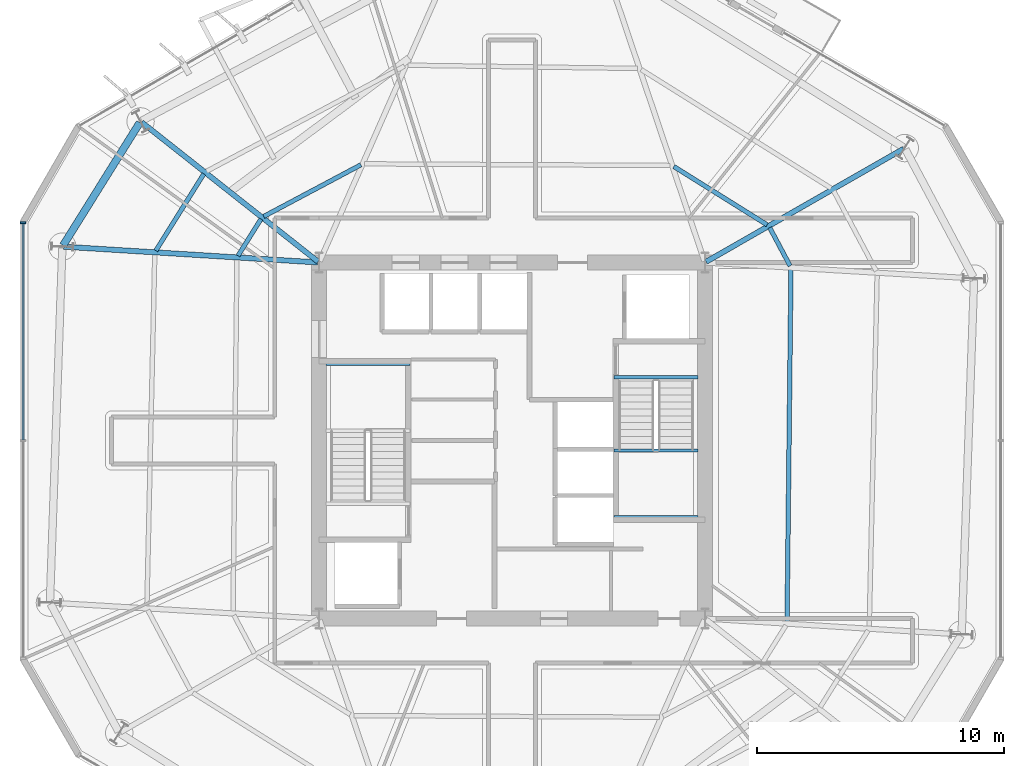
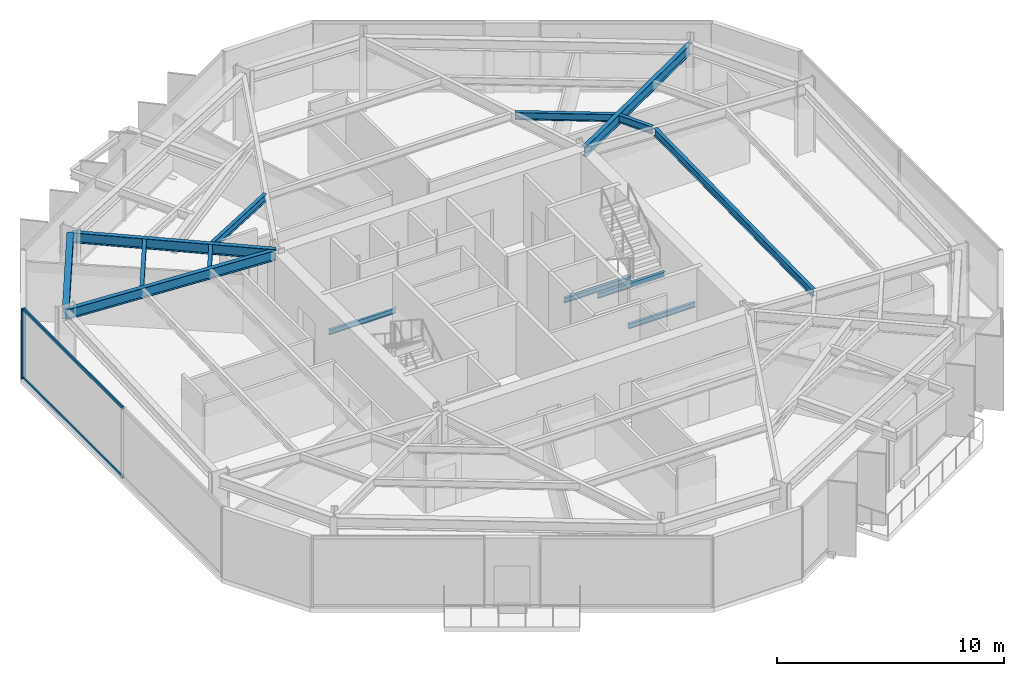
# One storey, part 3 of 11: 14 beams, 3 members, 1 element without a shape of its own.
"""IFC4 building model written with IfcOpenShell, lengths in metres."""

from ifc_helpers import new_model, si_unit, direction, frame, origin, origin_2d, place, context, subcontext, project, spatial, rectangle, i_section, extrude, material, layer, layer_set, material_profile, profile_set, type_object, element, aggregate, save


model = new_model("IFC4")

# Units and contexts
model_context = context("Model", 3, precision=1e-05, world=origin(), true_north=direction((0.0, 1.0)))
body_context = subcontext(model_context, "Body", "Model", "MODEL_VIEW")
ifc_project = project(units=[si_unit("LENGTHUNIT", "METRE"), si_unit("AREAUNIT", "SQUARE_METRE"), si_unit("VOLUMEUNIT", "CUBIC_METRE"), si_unit("PLANEANGLEUNIT", "RADIAN"), si_unit("MASSUNIT", "GRAM", prefix="KILO")], contexts=[model_context])

# Site, building, storey
site_placement = place(None, origin())
site = spatial("IfcSite", under=ifc_project, at=site_placement, CompositionType="ELEMENT")
building_placement = place(site_placement, origin())
building = spatial("IfcBuilding", under=site, at=building_placement, Name="Kranzbogen Civic Tower", CompositionType="ELEMENT")
storey_placement = place(building_placement, frame((0.0, 0.0, 142.39990234375)))
storey = spatial("IfcBuildingStorey", under=building, at=storey_placement, Name="L34", CompositionType="ELEMENT", Elevation=142.39990234375)

# Curtain wall, members
ifc_material_1 = material(Name="Pale Anodised Aluminium", Category="aluminium")
ifc_layer = layer(ifc_material_1, 0.219970703125, Name="Pale Anodised Aluminium")
ifc_layer_set = layer_set([ifc_layer], Name="Pale Anodised Aluminium")
curtain_wall_type = type_object("IfcCurtainWallType", Name="Zone 2 Stick Curtain Wall System CW-03", PredefinedType="USERDEFINED", material=ifc_layer_set)
curtain_wall_placement = place(storey_placement, origin())
curtain_wall = element("IfcCurtainWall", 1, at=curtain_wall_placement, inside=storey, type_object=curtain_wall_type, Name="L34 curtain wall CW-L34-F3", ObjectType="STICK CURTAIN WALL", PredefinedType="USERDEFINED")
ifc_material_profile_1 = material_profile(ifc_material_1, rectangle(XDim=0.074951171875, YDim=0.219970703125, at=origin_2d()), Name="ALU-M 75x220")
ifc_profile_set_1 = profile_set([ifc_material_profile_1], Name="Pale Anodised Aluminium")
member_type_1 = type_object("IfcMemberType", Name="Curtain Wall Mullion ALU-M 75x220", PredefinedType="MULLION", material=ifc_profile_set_1)
member_1_placement = place(storey_placement, frame((5.22802734375, 33.803955078125, 0.0), z_axis=(0.0, 0.0, 1.0), x_axis=(0.0, -1.0, 0.0)))
member_1 = element("IfcMember", 2, at=member_1_placement, type_object=member_type_1, Name="CW-03 mullion 1", PredefinedType="MULLION", context=body_context, shape_type="SweptSolid", body=[
    extrude(rectangle(XDim=0.074951171875, YDim=0.219970703125, at=origin_2d()), origin(), (0.0, 0.0, 1.0), 3.760009765625),
])
ifc_material_profile_2 = material_profile(ifc_material_1, rectangle(XDim=0.074951171875, YDim=0.1650390625, at=origin_2d()), Name="ALU-T 75x165")
ifc_profile_set_2 = profile_set([ifc_material_profile_2], Name="Pale Anodised Aluminium")
member_type_2 = type_object("IfcMemberType", Name="Curtain Wall Transom ALU-T 75x165", PredefinedType="USERDEFINED", material=ifc_profile_set_2)
member_2_placement = place(storey_placement, frame((5.22802734375, 33.77392578125, 0.030029296875), z_axis=(0.0, -1.0, 0.0), x_axis=(1.0, 0.0, 0.0)))
member_2 = element("IfcMember", 3, at=member_2_placement, type_object=member_type_2, Name="CW-03 transom 1.1", ObjectType="TRANSOM", PredefinedType="USERDEFINED", context=body_context, shape_type="SweptSolid", body=[
    extrude(rectangle(XDim=0.074951171875, YDim=0.1650390625, at=origin_2d()), origin(), (0.0, 0.0, 1.0), 8.743896484375),
])
member_3_placement = place(storey_placement, frame((5.22802734375, 33.77392578125, 3.72998046875), z_axis=(0.0, -1.0, 0.0), x_axis=(1.0, 0.0, 0.0)))
member_3 = element("IfcMember", 4, at=member_3_placement, type_object=member_type_2, Name="CW-03 transom 1.2", ObjectType="TRANSOM", PredefinedType="USERDEFINED", context=body_context, shape_type="SweptSolid", body=[
    extrude(rectangle(XDim=0.074951171875, YDim=0.1650390625, at=origin_2d()), origin(), (0.0, 0.0, 1.0), 8.743896484375),
])
aggregate(curtain_wall, [member_1, member_2, member_3])

# Beams
ifc_material_2 = material(Name="Steel S355", Category="steel")
ifc_material_profile_3 = material_profile(ifc_material_2, i_section(OverallWidth=0.300048828125, OverallDepth=0.60009765625, WebThickness=0.015380859375, FlangeThickness=0.030029296875, at=origin_2d()), Name="HEB 600")
ifc_profile_set_3 = profile_set([ifc_material_profile_3], Name="Steel S355")
beam_type_1 = type_object("IfcBeamType", Name="Perimeter Tube Spandrel Beam HEB 600", PredefinedType="SPANDREL", material=ifc_profile_set_3)
beam_1_placement = place(storey_placement, frame((9.945068359375, 37.85693359375, 3.460205078125), z_axis=(-0.529863902903, -0.848082687242, 0.0), x_axis=(0.848082687242, -0.529863902903, 0.0)))
element("IfcBeam", 5, at=beam_1_placement, inside=storey, type_object=beam_type_1, Name="L34 perimeter spandrel beam 11", PredefinedType="SPANDREL", context=body_context, shape_type="SweptSolid", body=[
    extrude(i_section(OverallWidth=0.300048828125, OverallDepth=0.60009765625, WebThickness=0.015380859375, FlangeThickness=0.030029296875, at=origin_2d()), origin(), (0.0, 0.0, 1.0), 5.850830078125),
])
ifc_material_profile_4 = material_profile(ifc_material_2, i_section(OverallWidth=0.2099609375, OverallDepth=0.550048828125, WebThickness=0.010986328125, FlangeThickness=0.01708984375, at=origin_2d()), Name="IPE 550")
ifc_profile_set_4 = profile_set([ifc_material_profile_4], Name="Steel S355")
beam_type_2 = type_object("IfcBeamType", Name="Radial Tower Floor Girder IPE 550", PredefinedType="BEAM", material=ifc_profile_set_4)
beam_2_placement = place(storey_placement, frame((40.833984375, 36.799072265625, 3.485107421875), z_axis=(-0.867868812182, -0.496793442833, 0.0), x_axis=(0.496793442833, -0.867868812182, 0.0)))
element("IfcBeam", 6, at=beam_2_placement, inside=storey, type_object=beam_type_2, Name="L34 radial floor girder 08", PredefinedType="BEAM", context=body_context, shape_type="SweptSolid", body=[
    extrude(i_section(OverallWidth=0.2099609375, OverallDepth=0.550048828125, WebThickness=0.010986328125, FlangeThickness=0.01708984375, at=origin_2d()), origin(), (0.0, 0.0, 1.0), 9.197265625),
])
beam_3_placement = place(storey_placement, frame((10.02392578125, 37.87109375, 3.485107421875), z_axis=(0.78457455683, -0.620034486763, 0.0), x_axis=(0.620034486763, 0.78457455683, 0.0)))
element("IfcBeam", 7, at=beam_3_placement, inside=storey, type_object=beam_type_2, Name="L34 radial floor girder 11", PredefinedType="BEAM", context=body_context, shape_type="SweptSolid", body=[
    extrude(i_section(OverallWidth=0.2099609375, OverallDepth=0.550048828125, WebThickness=0.010986328125, FlangeThickness=0.01708984375, at=origin_2d()), origin(), (0.0, 0.0, 1.0), 9.086669921875),
])
beam_4_placement = place(storey_placement, frame((6.873046875, 32.840087890625, 3.485107421875), z_axis=(0.998086872961, -0.061827130147, 0.0), x_axis=(0.061827130147, 0.998086872961, 0.0)))
element("IfcBeam", 8, at=beam_4_placement, inside=storey, type_object=beam_type_2, Name="L34 radial floor girder 12", PredefinedType="BEAM", context=body_context, shape_type="SweptSolid", body=[
    extrude(i_section(OverallWidth=0.2099609375, OverallDepth=0.550048828125, WebThickness=0.010986328125, FlangeThickness=0.01708984375, at=origin_2d()), origin(), (0.0, 0.0, 1.0), 10.28662109375),
])
ifc_material_profile_5 = material_profile(ifc_material_2, i_section(OverallWidth=0.179931640625, OverallDepth=0.39990234375, WebThickness=0.008544921875, FlangeThickness=0.013427734375, at=origin_2d()), Name="IPE 400")
ifc_profile_set_5 = profile_set([ifc_material_profile_5], Name="Steel S355")
beam_type_3 = type_object("IfcBeamType", Name="Secondary Composite Floor Joist IPE 400", PredefinedType="JOIST", material=ifc_profile_set_5)
beam_5_placement = place(storey_placement, frame((36.125, 17.674072265625, 3.56005859375), z_axis=(0.011160516663, 0.999937719494, 0.0), x_axis=(-0.999937719494, 0.011160516663, 0.0)))
element("IfcBeam", 9, at=beam_5_placement, inside=storey, type_object=beam_type_3, Name="L34 secondary floor joist 2.06", PredefinedType="JOIST", context=body_context, shape_type="SweptSolid", body=[
    extrude(i_section(OverallWidth=0.179931640625, OverallDepth=0.39990234375, WebThickness=0.008544921875, FlangeThickness=0.013427734375, at=origin_2d()), origin(), (0.0, 0.0, 1.0), 14.240966796875),
])
beam_6_placement = place(storey_placement, frame((36.2470703125, 32.06494140625, 3.56005859375), z_axis=(-0.46943723363, 0.882965845139, 0.0), x_axis=(-0.882965845139, -0.46943723363, 0.0)))
element("IfcBeam", 10, at=beam_6_placement, inside=storey, type_object=beam_type_3, Name="L34 secondary floor joist 2.07", PredefinedType="JOIST", context=body_context, shape_type="SweptSolid", body=[
    extrude(i_section(OverallWidth=0.179931640625, OverallDepth=0.39990234375, WebThickness=0.008544921875, FlangeThickness=0.013427734375, at=origin_2d()), origin(), (0.0, 0.0, 1.0), 1.7509765625),
])
beam_7_placement = place(storey_placement, frame((35.320068359375, 33.72412109375, 3.56005859375), z_axis=(-0.848093834398, 0.529846060716, 0.0), x_axis=(-0.529846060716, -0.848093834398, 0.0)))
element("IfcBeam", 11, at=beam_7_placement, inside=storey, type_object=beam_type_3, Name="L34 secondary floor joist 2.08", PredefinedType="JOIST", context=body_context, shape_type="SweptSolid", body=[
    extrude(i_section(OverallWidth=0.179931640625, OverallDepth=0.39990234375, WebThickness=0.008544921875, FlangeThickness=0.013427734375, at=origin_2d()), origin(), (0.0, 0.0, 1.0), 4.4501953125),
])
beam_8_placement = place(storey_placement, frame((18.888916015625, 36.153076171875, 3.56005859375), z_axis=(-0.882991399158, -0.469389165844, 0.0), x_axis=(0.469389165844, -0.882991399158, 0.0)))
element("IfcBeam", 12, at=beam_8_placement, inside=storey, type_object=beam_type_3, Name="L34 secondary floor joist 2.10", PredefinedType="JOIST", context=body_context, shape_type="SweptSolid", body=[
    extrude(i_section(OverallWidth=0.179931640625, OverallDepth=0.39990234375, WebThickness=0.008544921875, FlangeThickness=0.013427734375, at=origin_2d()), origin(), (0.0, 0.0, 1.0), 4.45068359375),
])
beam_9_placement = place(storey_placement, frame((12.534912109375, 35.784912109375, 3.56005859375), z_axis=(-0.529867065107, -0.848080711557, 0.0), x_axis=(0.848080711557, -0.529867065107, 0.0)))
element("IfcBeam", 13, at=beam_9_placement, inside=storey, type_object=beam_type_3, Name="L34 secondary floor joist 1.11", PredefinedType="JOIST", context=body_context, shape_type="SweptSolid", body=[
    extrude(i_section(OverallWidth=0.179931640625, OverallDepth=0.39990234375, WebThickness=0.008544921875, FlangeThickness=0.013427734375, at=origin_2d()), origin(), (0.0, 0.0, 1.0), 3.6611328125),
])
beam_10_placement = place(storey_placement, frame((14.845947265625, 33.958984375, 3.56005859375), z_axis=(-0.529572623603, -0.84826460278, 0.0), x_axis=(0.84826460278, -0.529572623603, 0.0)))
element("IfcBeam", 14, at=beam_10_placement, inside=storey, type_object=beam_type_3, Name="L34 secondary floor joist 2.11", PredefinedType="JOIST", context=body_context, shape_type="SweptSolid", body=[
    extrude(i_section(OverallWidth=0.179931640625, OverallDepth=0.39990234375, WebThickness=0.008544921875, FlangeThickness=0.013427734375, at=origin_2d()), origin(), (0.0, 0.0, 1.0), 1.75048828125),
])
ifc_material_profile_6 = material_profile(ifc_material_2, i_section(OverallWidth=0.135009765625, OverallDepth=0.27001953125, WebThickness=0.006591796875, FlangeThickness=0.01025390625, at=origin_2d()), Name="IPE 270")
ifc_profile_set_6 = profile_set([ifc_material_profile_6], Name="Steel S355")
beam_type_4 = type_object("IfcBeamType", Name="Stair Landing Support Beam IPE 270", PredefinedType="JOIST", material=ifc_profile_set_6)
for number, where, z_axis, x_axis, name in (
    (15, (20.8798828125, 28.10009765625, 1.6650390625), (-1.0, 0.0, 0.0), (0.0, -1.0, 0.0), "L34 ST-T1 landing support beam 1.2"),
    (16, (29.1201171875, 27.56005859375, -0.375), (1.0, 0.0, 0.0), (0.0, 1.0, 0.0), "L34 ST-T2 stair floor header beam"),
    (17, (29.1201171875, 24.60009765625, 1.6650390625), (1.0, 0.0, 0.0), (0.0, 1.0, 0.0), "L34 ST-T2 landing support beam 1.1"),
    (18, (29.1201171875, 21.89990234375, 1.6650390625), (1.0, 0.0, 0.0), (0.0, 1.0, 0.0), "L34 ST-T2 landing support beam 1.2"),
):
    element("IfcBeam", number, at=place(storey_placement, frame(where, z_axis=z_axis, x_axis=x_axis)), inside=storey, type_object=beam_type_4, Name=name, PredefinedType="JOIST", context=body_context, shape_type="SweptSolid", body=[
        extrude(i_section(OverallWidth=0.135009765625, OverallDepth=0.27001953125, WebThickness=0.006591796875, FlangeThickness=0.01025390625, at=origin_2d()), origin(), (0.0, 0.0, 1.0), 3.409912109375),
    ])

save(model, "model.ifc")
